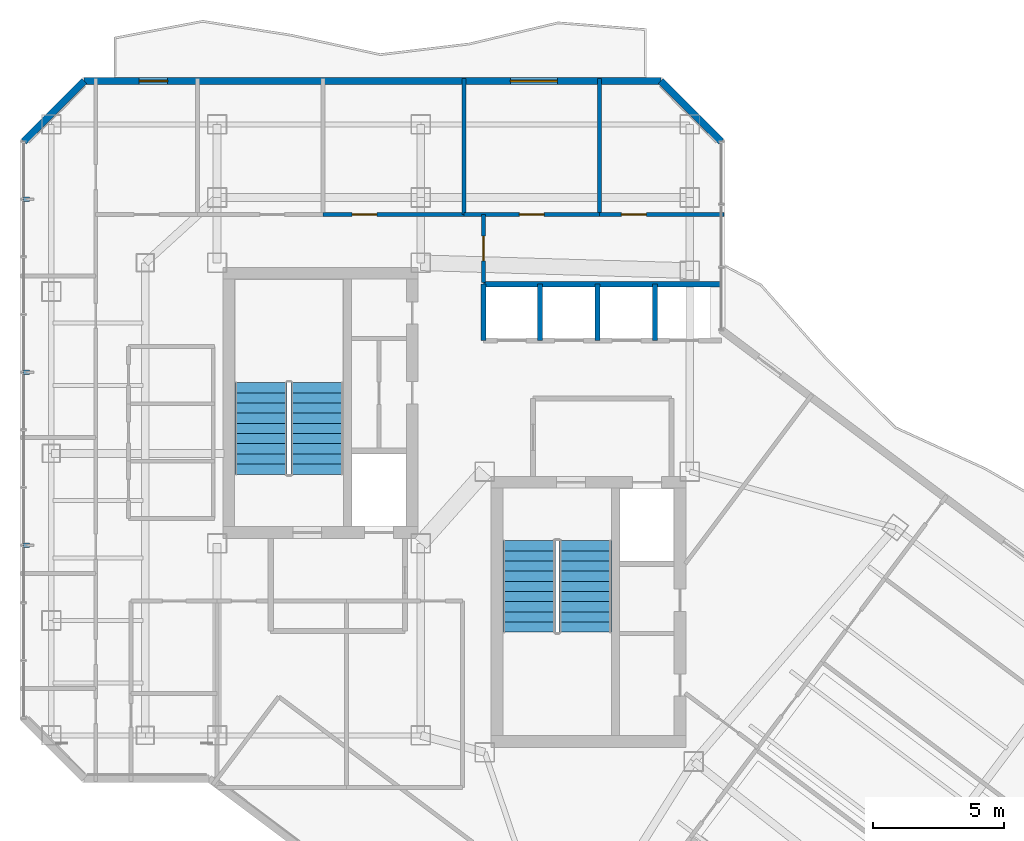
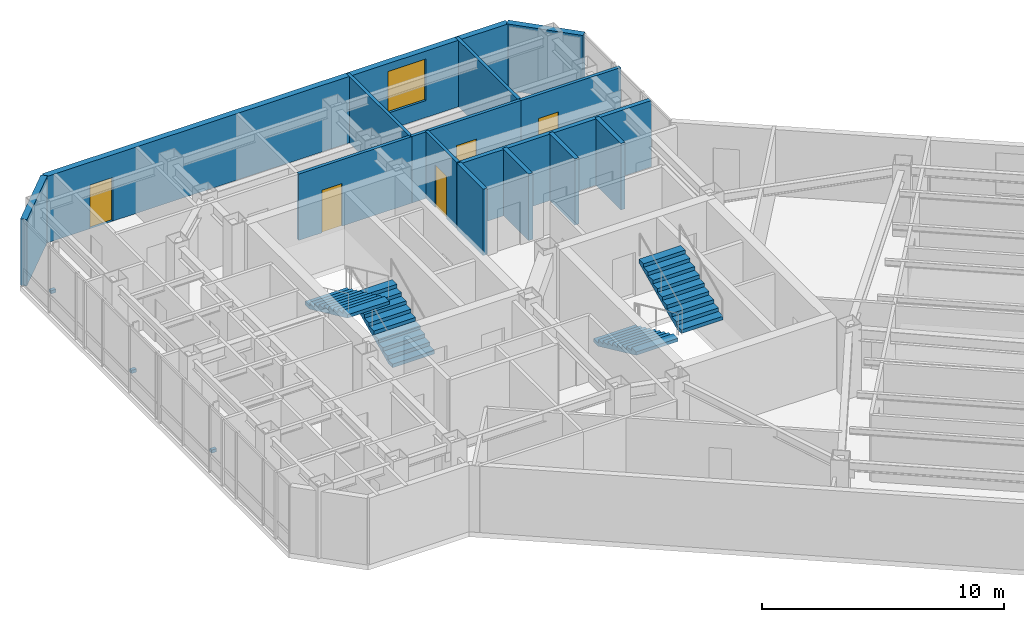
# One storey, part 22 of 26: 14 walls, 5 doors, 4 stair flights, 3 discrete accessories, 1 window, 6 openings, 2 elements without a shape of their own.
"""IFC4 building model written with IfcOpenShell, lengths in metres."""

from ifc_helpers import new_model, si_unit, direction, frame, frame_2d, origin, origin_2d, place, context, subcontext, project, spatial, polyline, rectangle, outline, extrude, material, layer, layer_set, type_object, element, fill, aggregate, save


model = new_model("IFC4")

# Units and contexts
model_context = context("Model", 3, precision=1e-05, world=origin(), true_north=direction((0.0, 1.0)))
body_context = subcontext(model_context, "Body", "Model", "MODEL_VIEW")
ifc_project = project(units=[si_unit("LENGTHUNIT", "METRE"), si_unit("AREAUNIT", "SQUARE_METRE"), si_unit("VOLUMEUNIT", "CUBIC_METRE"), si_unit("PLANEANGLEUNIT", "RADIAN"), si_unit("MASSUNIT", "GRAM", prefix="KILO")], contexts=[model_context])

# Site, building, storey
site_placement = place(None, origin())
site = spatial("IfcSite", under=ifc_project, at=site_placement, CompositionType="ELEMENT")
building_placement = place(site_placement, origin())
building = spatial("IfcBuilding", under=site, at=building_placement, Name="Hatsunagi Terrace Concourse", CompositionType="ELEMENT")
storey_placement = place(building_placement, frame((0.0, 0.0, 209.550048828125)))
storey = spatial("IfcBuildingStorey", under=building, at=storey_placement, Name="L55", CompositionType="ELEMENT", Elevation=209.550048828125)

# Wall, opening, door
ifc_material_1 = material(Name="Acoustic mineral board", Category="gypsum")
ifc_layer_1 = layer(ifc_material_1, 0.14990234375)
ifc_layer_set_1 = layer_set([ifc_layer_1], Name="PartitionWall_EI60_150")
wall_type_1 = type_object("IfcWallType", Name="PartitionWall_EI60_150", PredefinedType="PARTITIONING", material=ifc_layer_set_1)
wall_1_placement = place(storey_placement, frame((29.60009765625, 45.14990234375, 0.0), z_axis=(0.0, 0.0, 1.0), x_axis=(1.0, 0.0, 0.0)))
wall_1 = element("IfcWall", 1, at=wall_1_placement, inside=storey, type_object=wall_type_1, Name="Interior Partition IW-L55-046", PredefinedType="PARTITIONING", context=body_context, shape_type="SweptSolid", body=[
    extrude(rectangle(XDim=5.39990234375, YDim=0.14990234375, at=frame_2d((2.699951171875, 0.0))), origin(), (0.0, 0.0, 1.0), 3.349853515625),
])
opening_1_placement = place(wall_1_placement, frame((1.117919921875, 0.0, 0.0)))
opening_1 = element("IfcOpeningElement", 2, at=opening_1_placement, cuts=wall_1, Name="Opening DR-095", PredefinedType="OPENING", context=body_context, shape_type="SweptSolid", body=[
    extrude(rectangle(XDim=0.949951171875, YDim=2.14990234375, at=frame_2d((0.47509765625, 1.074951171875))), frame((0.0, 0.0849609375, 0.0), z_axis=(0.0, -1.0, 0.0), x_axis=(1.0, 0.0, 0.0)), (0.0, 0.0, 1.0), 0.169921875),
])
ifc_material_2 = material(Name="Hardwood timber", Category="wood")
door_type_1 = type_object("IfcDoorType", Name="InteriorSuiteDoor_EI30_950", OperationType="NOTDEFINED", PredefinedType="DOOR", material=ifc_material_2)
door_1_placement = place(opening_1_placement, origin())
door_1 = element("IfcDoor", 3, at=door_1_placement, inside=storey, type_object=door_type_1, Name="Executive Briefing Room L55-ON3 Door", OperationType="SINGLE_SWING_RIGHT", OverallHeight=2.14990234375, OverallWidth=0.949951171875, PredefinedType="DOOR", context=body_context, shape_type="SweptSolid", body=[
    extrude(rectangle(XDim=0.949951171875, YDim=2.14990234375, at=frame_2d((0.47509765625, 1.074951171875))), frame((0.0, 0.02490234375, 0.0), z_axis=(0.0, -1.0, 0.0), x_axis=(1.0, 0.0, 0.0)), (0.0, 0.0, 1.0), 0.050048828125),
])
fill(opening_1, door_1)

# Wall
wall_2_placement = place(storey_placement, frame((35.0, 45.14990234375, 0.0), z_axis=(0.0, 0.0, 1.0), x_axis=(0.0, 1.0, 0.0)))
element("IfcWall", 4, at=wall_2_placement, inside=storey, type_object=wall_type_1, Name="Interior Partition IW-L55-047", PredefinedType="PARTITIONING", context=body_context, shape_type="SweptSolid", body=[
    extrude(rectangle(XDim=5.210205078125, YDim=0.14990234375, at=frame_2d((2.60498046875, 0.0))), origin(), (0.0, 0.0, 1.0), 3.349853515625),
])

# Wall, opening, door
wall_3_placement = place(storey_placement, frame((35.0, 45.14990234375, 0.0), z_axis=(0.0, 0.0, 1.0), x_axis=(1.0, 0.0, 0.0)))
wall_3 = element("IfcWall", 5, at=wall_3_placement, inside=storey, type_object=wall_type_1, Name="Interior Partition IW-L55-048", PredefinedType="PARTITIONING", context=body_context, shape_type="SweptSolid", body=[
    extrude(rectangle(XDim=5.199951171875, YDim=0.14990234375, at=frame_2d((2.60009765625, 0.0))), origin(), (0.0, 0.0, 1.0), 3.349853515625),
])
opening_2_placement = place(wall_3_placement, frame((2.125, 0.0, 0.0)))
opening_2 = element("IfcOpeningElement", 6, at=opening_2_placement, cuts=wall_3, Name="Opening DR-095", PredefinedType="OPENING", context=body_context, shape_type="SweptSolid", body=[
    extrude(rectangle(XDim=0.949951171875, YDim=2.14990234375, at=frame_2d((0.47509765625, 1.074951171875))), frame((0.0, 0.0849609375, 0.0), z_axis=(0.0, -1.0, 0.0), x_axis=(1.0, 0.0, 0.0)), (0.0, 0.0, 1.0), 0.169921875),
])
door_2_placement = place(opening_2_placement, origin())
door_2 = element("IfcDoor", 7, at=door_2_placement, inside=storey, type_object=door_type_1, Name="Breakout Pantry L55-ON4 Door", OperationType="SINGLE_SWING_RIGHT", OverallHeight=2.14990234375, OverallWidth=0.949951171875, PredefinedType="DOOR", context=body_context, shape_type="SweptSolid", body=[
    extrude(rectangle(XDim=0.949951171875, YDim=2.14990234375, at=frame_2d((0.47509765625, 1.074951171875))), frame((0.0, 0.02490234375, 0.0), z_axis=(0.0, -1.0, 0.0), x_axis=(1.0, 0.0, 0.0)), (0.0, 0.0, 1.0), 0.050048828125),
])
fill(opening_2, door_2)

# Wall
wall_4_placement = place(storey_placement, frame((40.199951171875, 45.14990234375, 0.0), z_axis=(0.0, 0.0, 1.0), x_axis=(0.0, 1.0, 0.0)))
element("IfcWall", 8, at=wall_4_placement, inside=storey, type_object=wall_type_1, Name="Interior Partition IW-L55-049", PredefinedType="PARTITIONING", context=body_context, shape_type="SweptSolid", body=[
    extrude(rectangle(XDim=5.210205078125, YDim=0.14990234375, at=frame_2d((2.60498046875, 0.0))), origin(), (0.0, 0.0, 1.0), 3.349853515625),
])

# Wall, opening, door
wall_5_placement = place(storey_placement, frame((40.199951171875, 45.14990234375, 0.0), z_axis=(0.0, 0.0, 1.0), x_axis=(1.0, 0.0, 0.0)))
wall_5 = element("IfcWall", 9, at=wall_5_placement, inside=storey, type_object=wall_type_1, Name="Interior Partition IW-L55-050", PredefinedType="PARTITIONING", context=body_context, shape_type="SweptSolid", body=[
    extrude(rectangle(XDim=4.760009765625, YDim=0.14990234375, at=frame_2d((2.3798828125, 0.0))), origin(), (0.0, 0.0, 1.0), 3.349853515625),
])
opening_3_placement = place(wall_5_placement, frame((0.8369140625, 0.0, 0.0)))
opening_3 = element("IfcOpeningElement", 10, at=opening_3_placement, cuts=wall_5, Name="Opening DR-095", PredefinedType="OPENING", context=body_context, shape_type="SweptSolid", body=[
    extrude(rectangle(XDim=0.949951171875, YDim=2.14990234375, at=frame_2d((0.47509765625, 1.074951171875))), frame((0.0, 0.0849609375, 0.0), z_axis=(0.0, -1.0, 0.0), x_axis=(1.0, 0.0, 0.0)), (0.0, 0.0, 1.0), 0.169921875),
])
door_3_placement = place(opening_3_placement, origin())
door_3 = element("IfcDoor", 11, at=door_3_placement, inside=storey, type_object=door_type_1, Name="Executive Briefing Room L55-ON5 Door", OperationType="SINGLE_SWING_RIGHT", OverallHeight=2.14990234375, OverallWidth=0.949951171875, PredefinedType="DOOR", context=body_context, shape_type="SweptSolid", body=[
    extrude(rectangle(XDim=0.949951171875, YDim=2.14990234375, at=frame_2d((0.47509765625, 1.074951171875))), frame((0.0, 0.02490234375, 0.0), z_axis=(0.0, -1.0, 0.0), x_axis=(1.0, 0.0, 0.0)), (0.0, 0.0, 1.0), 0.050048828125),
])
fill(opening_3, door_3)

wall_6_placement = place(storey_placement, frame((35.75, 42.550048828125, 0.0), z_axis=(0.0, 0.0, 1.0), x_axis=(0.0, 1.0, 0.0)))
wall_6 = element("IfcWall", 12, at=wall_6_placement, inside=storey, type_object=wall_type_1, Name="Interior Partition IW-L55-067", PredefinedType="PARTITIONING", context=body_context, shape_type="SweptSolid", body=[
    extrude(rectangle(XDim=2.599853515625, YDim=0.14990234375, at=frame_2d((1.2998046875, 0.0))), origin(), (0.0, 0.0, 1.0), 3.349853515625),
])
opening_4_placement = place(wall_6_placement, frame((0.824951171875, 0.0, 0.0)))
opening_4 = element("IfcOpeningElement", 13, at=opening_4_placement, cuts=wall_6, Name="Opening DR-095", PredefinedType="OPENING", context=body_context, shape_type="SweptSolid", body=[
    extrude(rectangle(XDim=0.949951171875, YDim=2.14990234375, at=frame_2d((0.47509765625, 1.074951171875))), frame((0.0, 0.0849609375, 0.0), z_axis=(0.0, -1.0, 0.0), x_axis=(1.0, 0.0, 0.0)), (0.0, 0.0, 1.0), 0.169921875),
])
door_4_placement = place(opening_4_placement, origin())
door_4 = element("IfcDoor", 14, at=door_4_placement, inside=storey, type_object=door_type_1, Name="Executive Briefing Room L55-ONEB Door", OperationType="SINGLE_SWING_RIGHT", OverallHeight=2.14990234375, OverallWidth=0.949951171875, PredefinedType="DOOR", context=body_context, shape_type="SweptSolid", body=[
    extrude(rectangle(XDim=0.949951171875, YDim=2.14990234375, at=frame_2d((0.47509765625, 1.074951171875))), frame((0.0, 0.02490234375, 0.0), z_axis=(0.0, -1.0, 0.0), x_axis=(1.0, 0.0, 0.0)), (0.0, 0.0, 1.0), 0.050048828125),
])
fill(opening_4, door_4)

# Walls
ifc_material_3 = material(Name="Acoustic mineral board", Category="gypsum")
ifc_layer_2 = layer(ifc_material_3, 0.199951171875)
ifc_layer_set_2 = layer_set([ifc_layer_2], Name="ShaftWall_EI120_200")
wall_type_2 = type_object("IfcWallType", Name="ShaftWall_EI120_200", PredefinedType="STANDARD", material=ifc_layer_set_2)
wall_7_placement = place(storey_placement, frame((35.75, 42.47998046875, 0.0), z_axis=(0.0, 0.0, 1.0), x_axis=(1.0, 0.0, 0.0)))
element("IfcWall", 15, at=wall_7_placement, inside=storey, type_object=wall_type_2, Name="Interior Partition IW-L55-012", PredefinedType="STANDARD", context=body_context, shape_type="SweptSolid", body=[
    extrude(rectangle(XDim=9.110107421875, YDim=0.199951171875, at=frame_2d((4.55517578125, 0.0))), origin(), (0.0, 0.0, 1.0), 3.349853515625),
])
for number, where, z_axis, x_axis, name in (
    (16, (35.75, 40.320068359375, 0.0), (0.0, 0.0, 1.0), (0.0, 1.0, 0.0), "Interior Partition IW-L55-013"),
    (17, (37.919921875, 40.320068359375, 0.0), (0.0, 0.0, 1.0), (0.0, 1.0, 0.0), "Interior Partition IW-L55-014"),
    (18, (40.1201171875, 40.320068359375, 0.0), (0.0, 0.0, 1.0), (0.0, 1.0, 0.0), "Interior Partition IW-L55-015"),
    (19, (42.320068359375, 40.320068359375, 0.0), (0.0, 0.0, 1.0), (0.0, 1.0, 0.0), "Interior Partition IW-L55-016"),
):
    element("IfcWall", number, at=place(storey_placement, frame(where, z_axis=z_axis, x_axis=x_axis)), inside=storey, type_object=wall_type_2, Name=name, PredefinedType="STANDARD", context=body_context, shape_type="SweptSolid", body=[
        extrude(rectangle(XDim=2.159912109375, YDim=0.199951171875, at=frame_2d((1.080078125, 0.0))), origin(), (0.0, 0.0, 1.0), 3.349853515625),
    ])
ifc_material_4 = material(Name="Autoclaved Lightweight Concrete and Terracotta Cladding", Category="masonry")
ifc_layer_3 = layer(ifc_material_4, 0.280029296875)
ifc_layer_set_3 = layer_set([ifc_layer_3], Name="TerracottaSpandrelWall_280")
wall_type_3 = type_object("IfcWallType", Name="TerracottaSpandrelWall_280", PredefinedType="STANDARD", material=ifc_layer_set_3)
wall_8_placement = place(storey_placement, frame((18.139892578125, 47.94189453125, 0.0), z_axis=(0.0, 0.0, 1.0), x_axis=(0.707106781187, 0.707106781187, 0.0)))
element("IfcWall", 20, at=wall_8_placement, inside=storey, type_object=wall_type_3, Name="Exterior Spandrel Wall EW-L55-09", PredefinedType="STANDARD", context=body_context, shape_type="SweptSolid", body=[
    extrude(rectangle(XDim=3.2783203125, YDim=0.280029296875, at=frame_2d((1.63916015625, 0.0))), origin(), (0.0, 0.0, 1.0), 3.349853515625),
])

# Wall, openings, door, window
wall_9_placement = place(storey_placement, frame((20.4580078125, 50.260009765625, 0.0), z_axis=(0.0, 0.0, 1.0), x_axis=(1.0, 0.0, 0.0)))
wall_9 = element("IfcWall", 21, at=wall_9_placement, inside=storey, type_object=wall_type_3, Name="Exterior Spandrel Wall EW-L55-10", PredefinedType="STANDARD", context=body_context, shape_type="SweptSolid", body=[
    extrude(rectangle(XDim=22.083984375, YDim=0.280029296875, at=frame_2d((11.0419921875, 0.0))), origin(), (0.0, 0.0, 1.0), 3.349853515625),
])
opening_5_placement = place(wall_9_placement, frame((2.10009765625, 0.0, 0.0)))
opening_5 = element("IfcOpeningElement", 22, at=opening_5_placement, cuts=wall_9, Name="Opening BD-01", PredefinedType="OPENING", context=body_context, shape_type="SweptSolid", body=[
    extrude(rectangle(XDim=1.10009765625, YDim=2.199951171875, at=frame_2d((0.550048828125, 1.10009765625))), frame((0.0, 0.14990234375, 0.0), z_axis=(0.0, -1.0, 0.0), x_axis=(1.0, 0.0, 0.0)), (0.0, 0.0, 1.0), 0.300048828125),
])
opening_6_placement = place(wall_9_placement, frame((16.325927734375, 0.0, 0.85009765625)))
opening_6 = element("IfcOpeningElement", 23, at=opening_6_placement, cuts=wall_9, Name="Opening WIN-03", PredefinedType="OPENING", context=body_context, shape_type="SweptSolid", body=[
    extrude(rectangle(XDim=1.800048828125, YDim=2.10009765625, at=frame_2d((0.89990234375, 1.050048828125))), frame((0.0, 0.14990234375, 0.0), z_axis=(0.0, -1.0, 0.0), x_axis=(1.0, 0.0, 0.0)), (0.0, 0.0, 1.0), 0.300048828125),
])
ifc_material_5 = material(Name="Galvanised Steel and Laminated Safety Glass", Category="steel")
door_type_2 = type_object("IfcDoorType", Name="BalconyTerraceAccessDoor_1100x2200", OperationType="SINGLE_SWING_LEFT", PredefinedType="DOOR", material=ifc_material_5)
door_5_placement = place(opening_5_placement, origin())
door_5 = element("IfcDoor", 24, at=door_5_placement, inside=storey, type_object=door_type_2, Name="Engawa Balcony Door L55-BN", OperationType="SINGLE_SWING_RIGHT", OverallHeight=2.199951171875, OverallWidth=1.10009765625, PredefinedType="DOOR", context=body_context, shape_type="SweptSolid", body=[
    extrude(rectangle(XDim=1.10009765625, YDim=2.199951171875, at=frame_2d((0.550048828125, 1.10009765625))), frame((0.0, 0.02490234375, 0.0), z_axis=(0.0, -1.0, 0.0), x_axis=(1.0, 0.0, 0.0)), (0.0, 0.0, 1.0), 0.050048828125),
])
fill(opening_5, door_5)
ifc_material_6 = material(Name="Thermally Broken Aluminium and Low-E Triple Glazing", Category="aluminium")
window_type = type_object("IfcWindowType", Name="OfficeCornerFeatureWindow_1800x2100", PartitioningType="SINGLE_PANEL", PredefinedType="WINDOW", material=ifc_material_6)
window_placement = place(opening_6_placement, origin())
window = element("IfcWindow", 25, at=window_placement, inside=storey, type_object=window_type, Name="Balcony Daylighting Window L55-10-1", OverallHeight=2.10009765625, OverallWidth=1.800048828125, PartitioningType="SINGLE_PANEL", PredefinedType="WINDOW", context=body_context, shape_type="SweptSolid", body=[
    extrude(rectangle(XDim=1.800048828125, YDim=2.10009765625, at=frame_2d((0.89990234375, 1.050048828125))), frame((0.0, 0.030029296875, 0.0), z_axis=(0.0, -1.0, 0.0), x_axis=(1.0, 0.0, 0.0)), (0.0, 0.0, 1.0), 0.06005859375),
])
fill(opening_6, window)

# Wall
wall_10_placement = place(storey_placement, frame((42.5419921875, 50.260009765625, 0.0), z_axis=(0.0, 0.0, 1.0), x_axis=(0.707106781187, -0.707106781187, 0.0)))
element("IfcWall", 26, at=wall_10_placement, inside=storey, type_object=wall_type_3, Name="Exterior Spandrel Wall EW-L55-11", PredefinedType="STANDARD", context=body_context, shape_type="SweptSolid", body=[
    extrude(rectangle(XDim=3.2783203125, YDim=0.280029296875, at=frame_2d((1.63916015625, 0.0))), origin(), (0.0, 0.0, 1.0), 3.349853515625),
])

# Stair, stair flights
ifc_material_7 = material(Name="Concrete Fc42", Category="concrete")
stair_type = type_object("IfcStairType", Name="DoglegExitStair_Tower2000_20R_180", PredefinedType="HALF_TURN_STAIR", material=ifc_material_7)
stair_1_placement = place(storey_placement, origin())
stair_1 = element("IfcStair", 27, at=stair_1_placement, inside=storey, type_object=stair_type, Name="L55 Core A Protected Exit Stair ST-A", PredefinedType="HALF_TURN_STAIR")
ifc_material_8 = material(Name="Concrete Fc42", Category="concrete")
stair_flight_type = type_object("IfcStairFlightType", Name="DoglegStairFlight_Tower2000_20R_180", PredefinedType="STRAIGHT", material=ifc_material_8)
stair_flight_1_placement = place(storey_placement, frame((29.3798828125, 35.199951171875, 0.0), z_axis=(0.0, 0.0, 1.0), x_axis=(0.0, 1.0, 0.0)))
stair_flight_1 = element("IfcStairFlight", 28, at=stair_flight_1_placement, type_object=stair_flight_type, Name="ST-A flight 1", NumberOfRisers=10, NumberOfTreads=9, PredefinedType="STRAIGHT", RiserHeight=0.18, TreadLength=0.39, context=body_context, shape_type="SweptSolid", body=[
    extrude(outline(polyline([(0.0, 0.0), (0.0, 0.179931640625), (0.389892578125, 0.179931640625), (0.389892578125, 0.360107421875), (0.780029296875, 0.360107421875), (0.780029296875, 0.5400390625), (1.169921875, 0.5400390625), (1.169921875, 0.719970703125), (1.56005859375, 0.719970703125), (1.56005859375, 0.89990234375), (1.949951171875, 0.89990234375), (1.949951171875, 1.080078125), (2.340087890625, 1.080078125), (2.340087890625, 1.260009765625), (2.72998046875, 1.260009765625), (2.72998046875, 1.43994140625), (3.1201171875, 1.43994140625), (3.1201171875, 1.6201171875), (3.510009765625, 1.6201171875), (3.510009765625, 1.800048828125), (3.510009765625, 1.454833984375), (0.357666015625, 0.0), (0.0, 0.0)])), frame((0.0, 1.0, 0.0), z_axis=(0.0, -1.0, 0.0), x_axis=(1.0, 0.0, 0.0)), (0.0, 0.0, 1.0), 2.0),
])
stair_flight_2_placement = place(storey_placement, frame((27.22998046875, 38.7099609375, 1.800048828125), z_axis=(0.0, 0.0, 1.0), x_axis=(0.0, -1.0, 0.0)))
stair_flight_2 = element("IfcStairFlight", 29, at=stair_flight_2_placement, type_object=stair_flight_type, Name="ST-A flight 2", NumberOfRisers=10, NumberOfTreads=9, PredefinedType="STRAIGHT", RiserHeight=0.18, TreadLength=0.39, context=body_context, shape_type="SweptSolid", body=[
    extrude(outline(polyline([(0.0, 0.0), (0.0, 0.179931640625), (0.389892578125, 0.179931640625), (0.389892578125, 0.360107421875), (0.780029296875, 0.360107421875), (0.780029296875, 0.5400390625), (1.169921875, 0.5400390625), (1.169921875, 0.719970703125), (1.56005859375, 0.719970703125), (1.56005859375, 0.89990234375), (1.949951171875, 0.89990234375), (1.949951171875, 1.080078125), (2.340087890625, 1.080078125), (2.340087890625, 1.260009765625), (2.72998046875, 1.260009765625), (2.72998046875, 1.43994140625), (3.1201171875, 1.43994140625), (3.1201171875, 1.6201171875), (3.510009765625, 1.6201171875), (3.510009765625, 1.800048828125), (3.510009765625, 1.454833984375), (0.357666015625, 0.0), (0.0, 0.0)])), frame((0.0, 1.0, 0.0), z_axis=(0.0, -1.0, 0.0), x_axis=(1.0, 0.0, 0.0)), (0.0, 0.0, 1.0), 2.0),
])
aggregate(stair_1, [stair_flight_1, stair_flight_2])

stair_2_placement = place(storey_placement, origin())
stair_2 = element("IfcStair", 30, at=stair_2_placement, inside=storey, type_object=stair_type, Name="L55 Core B Protected Exit Stair ST-B", PredefinedType="HALF_TURN_STAIR")
stair_flight_3_placement = place(storey_placement, frame((37.5, 32.659912109375, 0.0), z_axis=(0.0, 0.0, 1.0), x_axis=(0.0, -1.0, 0.0)))
stair_flight_3 = element("IfcStairFlight", 31, at=stair_flight_3_placement, type_object=stair_flight_type, Name="ST-B flight 1", NumberOfRisers=10, NumberOfTreads=9, PredefinedType="STRAIGHT", RiserHeight=0.18, TreadLength=0.39, context=body_context, shape_type="SweptSolid", body=[
    extrude(outline(polyline([(0.0, 0.0), (0.0, 0.179931640625), (0.389892578125, 0.179931640625), (0.389892578125, 0.360107421875), (0.780029296875, 0.360107421875), (0.780029296875, 0.5400390625), (1.169921875, 0.5400390625), (1.169921875, 0.719970703125), (1.56005859375, 0.719970703125), (1.56005859375, 0.89990234375), (1.949951171875, 0.89990234375), (1.949951171875, 1.080078125), (2.340087890625, 1.080078125), (2.340087890625, 1.260009765625), (2.72998046875, 1.260009765625), (2.72998046875, 1.43994140625), (3.1201171875, 1.43994140625), (3.1201171875, 1.6201171875), (3.510009765625, 1.6201171875), (3.510009765625, 1.800048828125), (3.510009765625, 1.454833984375), (0.357666015625, 0.0), (0.0, 0.0)])), frame((0.0, 1.0, 0.0), z_axis=(0.0, -1.0, 0.0), x_axis=(1.0, 0.0, 0.0)), (0.0, 0.0, 1.0), 2.0),
])
stair_flight_4_placement = place(storey_placement, frame((39.64990234375, 29.14990234375, 1.800048828125), z_axis=(0.0, 0.0, 1.0), x_axis=(0.0, 1.0, 0.0)))
stair_flight_4 = element("IfcStairFlight", 32, at=stair_flight_4_placement, type_object=stair_flight_type, Name="ST-B flight 2", NumberOfRisers=10, NumberOfTreads=9, PredefinedType="STRAIGHT", RiserHeight=0.18, TreadLength=0.39, context=body_context, shape_type="SweptSolid", body=[
    extrude(outline(polyline([(0.0, 0.0), (0.0, 0.179931640625), (0.389892578125, 0.179931640625), (0.389892578125, 0.360107421875), (0.780029296875, 0.360107421875), (0.780029296875, 0.5400390625), (1.169921875, 0.5400390625), (1.169921875, 0.719970703125), (1.56005859375, 0.719970703125), (1.56005859375, 0.89990234375), (1.949951171875, 0.89990234375), (1.949951171875, 1.080078125), (2.340087890625, 1.080078125), (2.340087890625, 1.260009765625), (2.72998046875, 1.260009765625), (2.72998046875, 1.43994140625), (3.1201171875, 1.43994140625), (3.1201171875, 1.6201171875), (3.510009765625, 1.6201171875), (3.510009765625, 1.800048828125), (3.510009765625, 1.454833984375), (0.357666015625, 0.0), (0.0, 0.0)])), frame((0.0, 1.0, 0.0), z_axis=(0.0, -1.0, 0.0), x_axis=(1.0, 0.0, 0.0)), (0.0, 0.0, 1.0), 2.0),
])
aggregate(stair_2, [stair_flight_3, stair_flight_4])

# Discrete accessories
ifc_material_9 = material(Name="Stainless Steel SUS316 Bracket", Category="steel")
discrete_accessory_type = type_object("IfcDiscreteAccessoryType", Name="FacadeScreenSupportBracket_SS", PredefinedType="BRACKET", material=ifc_material_9)
for number, where, z_axis, x_axis, name in (
    (33, (18.25, 32.48291015625, 0.97021484375), (0.0, 0.0, 1.0), (0.0, 1.0, 0.0), "Terracotta Screen Bracket BRK-01"),
    (34, (18.25, 39.10791015625, 0.97021484375), (0.0, 0.0, 1.0), (0.0, 1.0, 0.0), "Terracotta Screen Bracket BRK-01"),
    (35, (18.25, 45.73388671875, 0.97021484375), (0.0, 0.0, 1.0), (0.0, 1.0, 0.0), "Terracotta Screen Bracket BRK-01"),
):
    element("IfcDiscreteAccessory", number, at=place(storey_placement, frame(where, z_axis=z_axis, x_axis=x_axis)), inside=storey, type_object=discrete_accessory_type, Name=name, PredefinedType="BRACKET", context=body_context, shape_type="SweptSolid", body=[
        extrude(rectangle(XDim=0.159912109375, YDim=0.239990234375, at=origin_2d()), origin(), (0.0, 0.0, 1.0), 0.159912109375),
    ])

save(model, "model.ifc")
